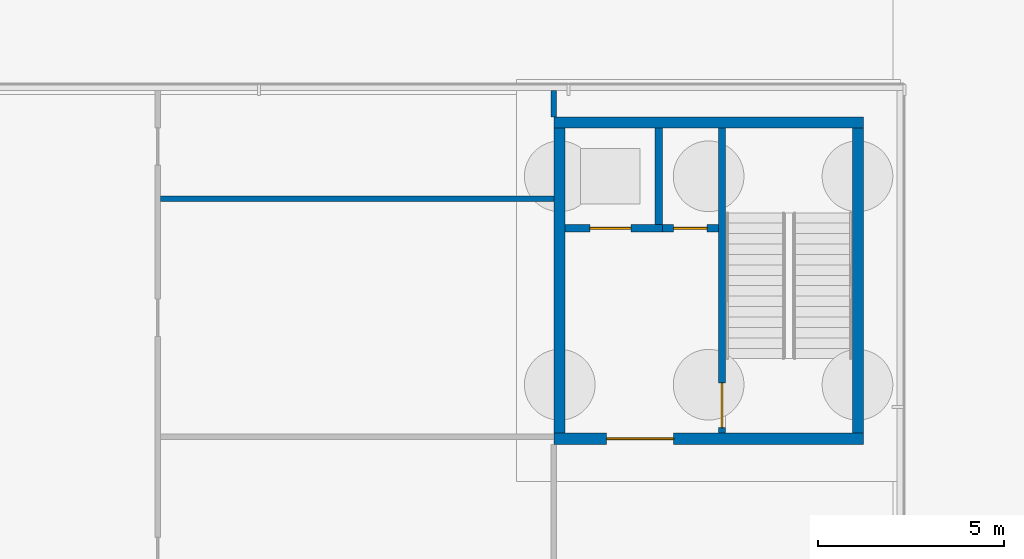
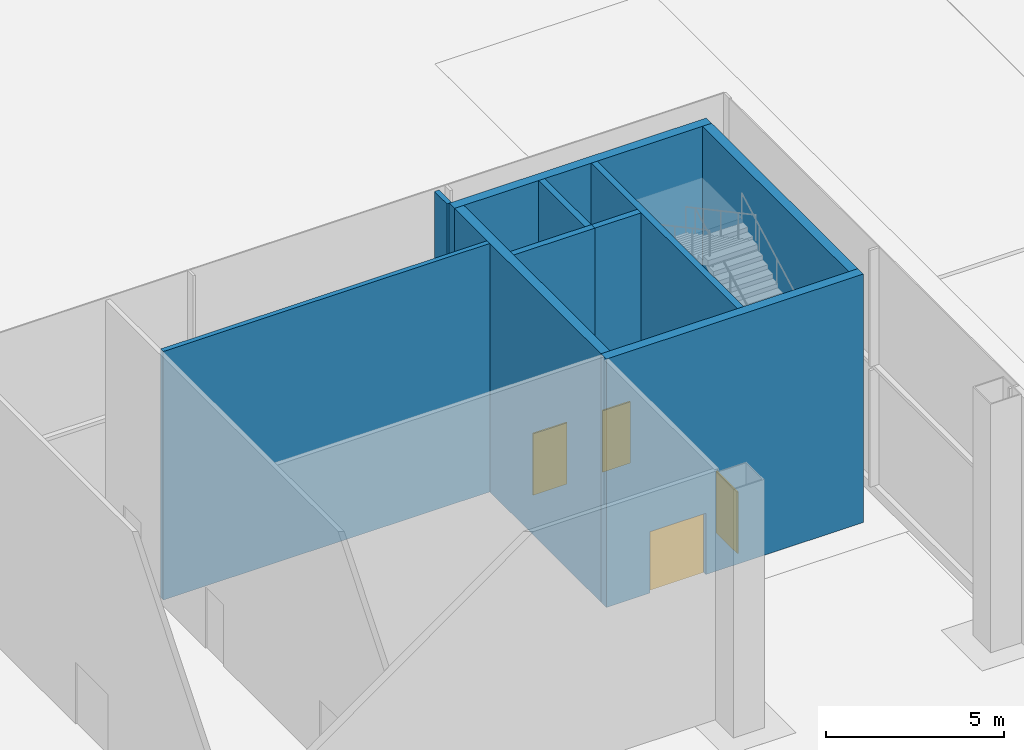
# One storey, part 47 of 113: 10 walls, 4 doors, 4 openings.
"""IFC4 building model written with IfcOpenShell, lengths in metres."""

from ifc_helpers import new_model, si_unit, direction, frame, frame_2d, origin, place, context, subcontext, project, spatial, rectangle, extrude, material, layer, layer_set, type_object, element, fill, save


model = new_model("IFC4")

# Units and contexts
model_context = context("Model", 3, precision=1e-05, world=origin(), true_north=direction((0.0, 1.0)))
body_context = subcontext(model_context, "Body", "Model", "MODEL_VIEW")
ifc_project = project(units=[si_unit("LENGTHUNIT", "METRE"), si_unit("AREAUNIT", "SQUARE_METRE"), si_unit("VOLUMEUNIT", "CUBIC_METRE"), si_unit("PLANEANGLEUNIT", "RADIAN"), si_unit("MASSUNIT", "GRAM", prefix="KILO")], contexts=[model_context])

# Site, building, storey
site_placement = place(None, origin())
site = spatial("IfcSite", under=ifc_project, at=site_placement, CompositionType="ELEMENT")
building_placement = place(site_placement, origin())
building = spatial("IfcBuilding", under=site, at=building_placement, Name="Hakoniwa Tower and Hamabe Station Hall", CompositionType="ELEMENT")
storey_placement = place(building_placement, origin())
storey = spatial("IfcBuildingStorey", under=building, at=storey_placement, Name="L01", CompositionType="ELEMENT", Elevation=0.0)

# Wall, opening, door
ifc_material_1 = material(Name="Concrete block masonry fb10", Category="masonry")
ifc_layer_1 = layer(ifc_material_1, 0.199951171875)
ifc_layer_set_1 = layer_set([ifc_layer_1], Name="BLOCK WALL 200 EI 60")
wall_type_1 = type_object("IfcWallType", Name="BLOCK WALL 200 EI 60", PredefinedType="PARTITIONING", material=ifc_layer_set_1)
wall_1_placement = place(storey_placement, frame((164.85009765625, 20.39990234375, 0.0), z_axis=(0.0, 0.0, 1.0), x_axis=(-1.0, 0.0, 0.0)))
wall_1 = element("IfcWall", 1, at=wall_1_placement, inside=storey, type_object=wall_type_1, Name="Station riser room wall SC2 L01", PredefinedType="PARTITIONING", context=body_context, shape_type="SweptSolid", body=[
    extrude(rectangle(XDim=1.5, YDim=0.199951171875, at=frame_2d((0.75, 0.0))), origin(), (0.0, 0.0, 1.0), 8.5),
])
opening_1_placement = place(wall_1_placement, frame((0.300048828125, 0.0, 0.0)))
opening_1 = element("IfcOpeningElement", 2, at=opening_1_placement, cuts=wall_1, Name="Opening SD-L01-017", PredefinedType="OPENING", context=body_context, shape_type="SweptSolid", body=[
    extrude(rectangle(XDim=0.89990234375, YDim=2.10009765625, at=frame_2d((0.449951171875, 1.050048828125))), frame((0.0, 0.10986328125, 0.0), z_axis=(0.0, -1.0, 0.0), x_axis=(1.0, 0.0, 0.0)), (0.0, 0.0, 1.0), 0.219970703125),
])
ifc_material_2 = material(Name="Steel fire door", Category="steel")
door_type_1 = type_object("IfcDoorType", Name="FIRE DOOR 900X2100 FD30", OperationType="SINGLE_SWING_LEFT", PredefinedType="DOOR", material=ifc_material_2)
door_1_placement = place(opening_1_placement, origin())
door_1 = element("IfcDoor", 3, at=door_1_placement, inside=storey, type_object=door_type_1, Name="Door riser SC2", OperationType="SINGLE_SWING_RIGHT", OverallHeight=2.10009765625, OverallWidth=0.89990234375, PredefinedType="DOOR", context=body_context, shape_type="SweptSolid", body=[
    extrude(rectangle(XDim=0.89990234375, YDim=2.10009765625, at=frame_2d((0.449951171875, 1.050048828125))), frame((0.0, 0.02490234375, 0.0), z_axis=(0.0, -1.0, 0.0), x_axis=(1.0, 0.0, 0.0)), (0.0, 0.0, 1.0), 0.050048828125),
])
fill(opening_1, door_1)

# Walls
ifc_material_3 = material(Name="Fire-rated gypsum board partition")
ifc_layer_2 = layer(ifc_material_3, 0.14990234375)
ifc_layer_set_2 = layer_set([ifc_layer_2], Name="FIRE PARTITION 150 EI 60")
wall_type_2 = type_object("IfcWallType", Name="FIRE PARTITION 150 EI 60", PredefinedType="PARTITIONING", material=ifc_layer_set_2)
wall_2_placement = place(storey_placement, frame((149.864990234375, 21.199951171875, 0.0), z_axis=(0.0, 0.0, 1.0), x_axis=(1.0, 0.0, 0.0)))
element("IfcWall", 4, at=wall_2_placement, inside=storey, type_object=wall_type_2, Name="Partition L01 6", PredefinedType="PARTITIONING", context=body_context, shape_type="SweptSolid", body=[
    extrude(rectangle(XDim=10.56494140625, YDim=0.14990234375, at=frame_2d((5.282470703125, 0.0))), origin(), (0.0, 0.0, 1.0), 8.5),
])
wall_3_placement = place(storey_placement, frame((160.429931640625, 23.39990234375, 0.0), z_axis=(0.0, 0.0, 1.0), x_axis=(0.0, 1.0, 0.0)))
element("IfcWall", 5, at=wall_3_placement, inside=storey, type_object=wall_type_2, Name="Partition L01 20", PredefinedType="PARTITIONING", context=body_context, shape_type="SweptSolid", body=[
    extrude(rectangle(XDim=0.7001953125, YDim=0.14990234375, at=frame_2d((0.35009765625, 0.0))), origin(), (0.0, 0.0, 1.0), 8.5),
])

# Wall, opening, door
ifc_material_4 = material(Name="Concrete C60", Category="concrete")
ifc_layer_3 = layer(ifc_material_4, 0.199951171875)
ifc_layer_set_3 = layer_set([ifc_layer_3], Name="RC WALL 200 EI 120 C60")
wall_type_3 = type_object("IfcWallType", Name="RC WALL 200 EI 120 C60", PredefinedType="SHEAR", material=ifc_layer_set_3)
wall_4_placement = place(storey_placement, frame((164.949951171875, 23.10009765625, 0.0), z_axis=(0.0, 0.0, 1.0), x_axis=(0.0, -1.0, 0.0)))
wall_4 = element("IfcWall", 6, at=wall_4_placement, inside=storey, type_object=wall_type_3, Name="Station stair wall SC2 L01", PredefinedType="SHEAR", context=body_context, shape_type="SweptSolid", body=[
    extrude(rectangle(XDim=8.2001953125, YDim=0.199951171875, at=frame_2d((4.10009765625, 0.0))), origin(), (0.0, 0.0, 1.0), 8.5),
])
opening_2_placement = place(wall_4_placement, frame((6.85009765625, 0.0, 0.0)))
opening_2 = element("IfcOpeningElement", 7, at=opening_2_placement, cuts=wall_4, Name="Opening SD-L01-016", PredefinedType="OPENING", context=body_context, shape_type="SweptSolid", body=[
    extrude(rectangle(XDim=1.199951171875, YDim=2.10009765625, at=frame_2d((0.60009765625, 1.050048828125))), frame((0.0, 0.10986328125, 0.0), z_axis=(0.0, -1.0, 0.0), x_axis=(1.0, 0.0, 0.0)), (0.0, 0.0, 1.0), 0.219970703125),
])
ifc_material_5 = material(Name="Steel fire door", Category="steel")
door_type_2 = type_object("IfcDoorType", Name="FIRE DOOR 1200X2100 FD60", OperationType="SINGLE_SWING_LEFT", PredefinedType="DOOR", material=ifc_material_5)
door_2_placement = place(opening_2_placement, frame((1.199951171875, 0.0, 0.0), z_axis=(0.0, 0.0, 1.0), x_axis=(-1.0, 0.0, 0.0)))
door_2 = element("IfcDoor", 8, at=door_2_placement, inside=storey, type_object=door_type_2, Name="Door escape stair SC2", OperationType="SINGLE_SWING_LEFT", OverallHeight=2.10009765625, OverallWidth=1.199951171875, PredefinedType="DOOR", context=body_context, shape_type="SweptSolid", body=[
    extrude(rectangle(XDim=1.199951171875, YDim=2.10009765625, at=frame_2d((0.60009765625, 1.050048828125))), frame((0.0, 0.02490234375, 0.0), z_axis=(0.0, -1.0, 0.0), x_axis=(1.0, 0.0, 0.0)), (0.0, 0.0, 1.0), 0.050048828125),
])
fill(opening_2, door_2)

# Wall
ifc_material_6 = material(Name="Concrete C60", Category="concrete")
ifc_layer_4 = layer(ifc_material_6, 0.199951171875)
ifc_layer_set_4 = layer_set([ifc_layer_4], Name="RC WALL 200 EI 60 C60")
wall_type_4 = type_object("IfcWallType", Name="RC WALL 200 EI 60 C60", PredefinedType="SHEAR", material=ifc_layer_set_4)
wall_5_placement = place(storey_placement, frame((163.25, 23.10009765625, 0.0), z_axis=(0.0, 0.0, 1.0), x_axis=(0.0, -1.0, 0.0)))
element("IfcWall", 9, at=wall_5_placement, inside=storey, type_object=wall_type_4, Name="Station hoistway wall SC2 L01", PredefinedType="SHEAR", context=body_context, shape_type="SweptSolid", body=[
    extrude(rectangle(XDim=2.60009765625, YDim=0.199951171875, at=frame_2d((1.300048828125, 0.0))), origin(), (0.0, 0.0, 1.0), 8.5),
])

# Wall, opening, door
wall_6_placement = place(storey_placement, frame((163.35009765625, 20.39990234375, 0.0), z_axis=(0.0, 0.0, 1.0), x_axis=(-1.0, 0.0, 0.0)))
wall_6 = element("IfcWall", 10, at=wall_6_placement, inside=storey, type_object=wall_type_4, Name="Station hoistway front wall SC2 L01", PredefinedType="SHEAR", context=body_context, shape_type="SweptSolid", body=[
    extrude(rectangle(XDim=2.6201171875, YDim=0.199951171875, at=frame_2d((1.31005859375, 0.0))), origin(), (0.0, 0.0, 1.0), 8.5),
])
opening_3_placement = place(wall_6_placement, frame((0.85009765625, 0.0, 0.0)))
opening_3 = element("IfcOpeningElement", 11, at=opening_3_placement, cuts=wall_6, Name="Opening LD-SL2-L01", PredefinedType="OPENING", context=body_context, shape_type="SweptSolid", body=[
    extrude(rectangle(XDim=1.10009765625, YDim=2.10009765625, at=frame_2d((0.550048828125, 1.050048828125))), frame((0.0, 0.10986328125, 0.0), z_axis=(0.0, -1.0, 0.0), x_axis=(1.0, 0.0, 0.0)), (0.0, 0.0, 1.0), 0.219970703125),
])
ifc_material_7 = material(Name="Stainless steel SUS304", Category="steel")
door_type_3 = type_object("IfcDoorType", Name="LIFT LANDING DOOR 1100X2100", OperationType="DOUBLE_DOOR_SLIDING", PredefinedType="DOOR", material=ifc_material_7)
door_3_placement = place(opening_3_placement, origin())
door_3 = element("IfcDoor", 12, at=door_3_placement, inside=storey, type_object=door_type_3, Name="Lift landing door SL2 L01", OperationType="DOUBLE_DOOR_SLIDING", OverallHeight=2.10009765625, OverallWidth=1.10009765625, PredefinedType="DOOR", context=body_context, shape_type="SweptSolid", body=[
    extrude(rectangle(XDim=1.10009765625, YDim=2.10009765625, at=frame_2d((0.550048828125, 1.050048828125))), frame((0.0, 0.02490234375, 0.0), z_axis=(0.0, -1.0, 0.0), x_axis=(1.0, 0.0, 0.0)), (0.0, 0.0, 1.0), 0.050048828125),
])
fill(opening_3, door_3)

# Wall
ifc_material_8 = material(Name="Concrete C60", Category="concrete")
ifc_layer_5 = layer(ifc_material_8, 0.300048828125)
ifc_layer_set_5 = layer_set([ifc_layer_5], Name="RC WALL 300 EI 120 C60")
wall_type_5 = type_object("IfcWallType", Name="RC WALL 300 EI 120 C60", PredefinedType="SHEAR", material=ifc_layer_set_5)
wall_7_placement = place(storey_placement, frame((168.75, 23.25, 0.0), z_axis=(0.0, 0.0, 1.0), x_axis=(-1.0, 0.0, 0.0)))
element("IfcWall", 13, at=wall_7_placement, inside=storey, type_object=wall_type_5, Name="Station core wall SC2 outer-v L01", PredefinedType="SHEAR", context=body_context, shape_type="SweptSolid", body=[
    extrude(rectangle(XDim=8.320068359375, YDim=0.300048828125, at=frame_2d((4.16015625, 0.0))), origin(), (0.0, 0.0, 1.0), 8.5),
])

# Wall, opening, door
wall_8_placement = place(storey_placement, frame((168.75, 14.75, 0.0), z_axis=(0.0, 0.0, 1.0), x_axis=(-1.0, 0.0, 0.0)))
wall_8 = element("IfcWall", 14, at=wall_8_placement, inside=storey, type_object=wall_type_5, Name="Station core wall SC2 inner-v L01", PredefinedType="SHEAR", context=body_context, shape_type="SweptSolid", body=[
    extrude(rectangle(XDim=8.320068359375, YDim=0.300048828125, at=frame_2d((4.16015625, 0.0))), origin(), (0.0, 0.0, 1.0), 8.5),
])
opening_4_placement = place(wall_8_placement, frame((5.10009765625, 0.0, 0.0)))
opening_4 = element("IfcOpeningElement", 15, at=opening_4_placement, cuts=wall_8, Name="Opening SD-L01-015", PredefinedType="OPENING", context=body_context, shape_type="SweptSolid", body=[
    extrude(rectangle(XDim=1.800048828125, YDim=2.10009765625, at=frame_2d((0.89990234375, 1.050048828125))), frame((0.0, 0.159912109375, 0.0), z_axis=(0.0, -1.0, 0.0), x_axis=(1.0, 0.0, 0.0)), (0.0, 0.0, 1.0), 0.320068359375),
])
ifc_material_9 = material(Name="Steel fire door", Category="steel")
door_type_4 = type_object("IfcDoorType", Name="FIRE DOUBLE DOOR 1800X2100 FD60", OperationType="DOUBLE_DOOR_SINGLE_SWING", PredefinedType="DOOR", material=ifc_material_9)
door_4_placement = place(opening_4_placement, origin())
door_4 = element("IfcDoor", 16, at=door_4_placement, inside=storey, type_object=door_type_4, Name="Door lobby SC2", OperationType="DOUBLE_DOOR_SINGLE_SWING", OverallHeight=2.10009765625, OverallWidth=1.800048828125, PredefinedType="DOOR", context=body_context, shape_type="SweptSolid", body=[
    extrude(rectangle(XDim=1.800048828125, YDim=2.10009765625, at=frame_2d((0.89990234375, 1.050048828125))), frame((0.0, 0.02490234375, 0.0), z_axis=(0.0, -1.0, 0.0), x_axis=(1.0, 0.0, 0.0)), (0.0, 0.0, 1.0), 0.050048828125),
])
fill(opening_4, door_4)

# Walls
for number, where, z_axis, x_axis, name in (
    (17, (168.60009765625, 23.10009765625, 0.0), (0.0, 0.0, 1.0), (0.0, -1.0, 0.0), "Station core wall SC2 outer-u L01"),
    (18, (160.580078125, 23.10009765625, 0.0), (0.0, 0.0, 1.0), (0.0, -1.0, 0.0), "Station core wall SC2 inner-u L01"),
):
    element("IfcWall", number, at=place(storey_placement, frame(where, z_axis=z_axis, x_axis=x_axis)), inside=storey, type_object=wall_type_5, Name=name, PredefinedType="SHEAR", context=body_context, shape_type="SweptSolid", body=[
        extrude(rectangle(XDim=8.2001953125, YDim=0.300048828125, at=frame_2d((4.10009765625, 0.0))), origin(), (0.0, 0.0, 1.0), 8.5),
    ])

save(model, "model.ifc")
